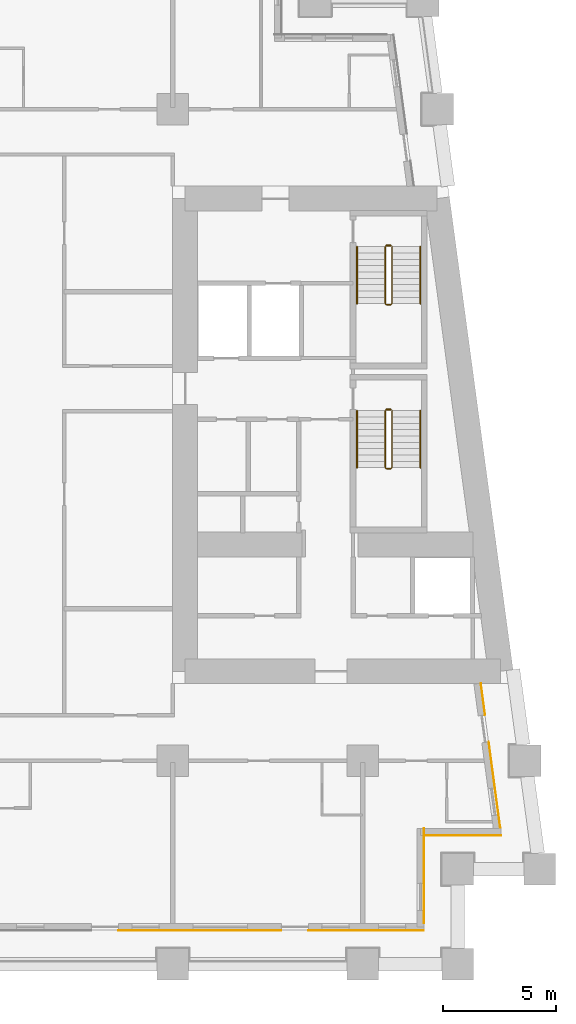
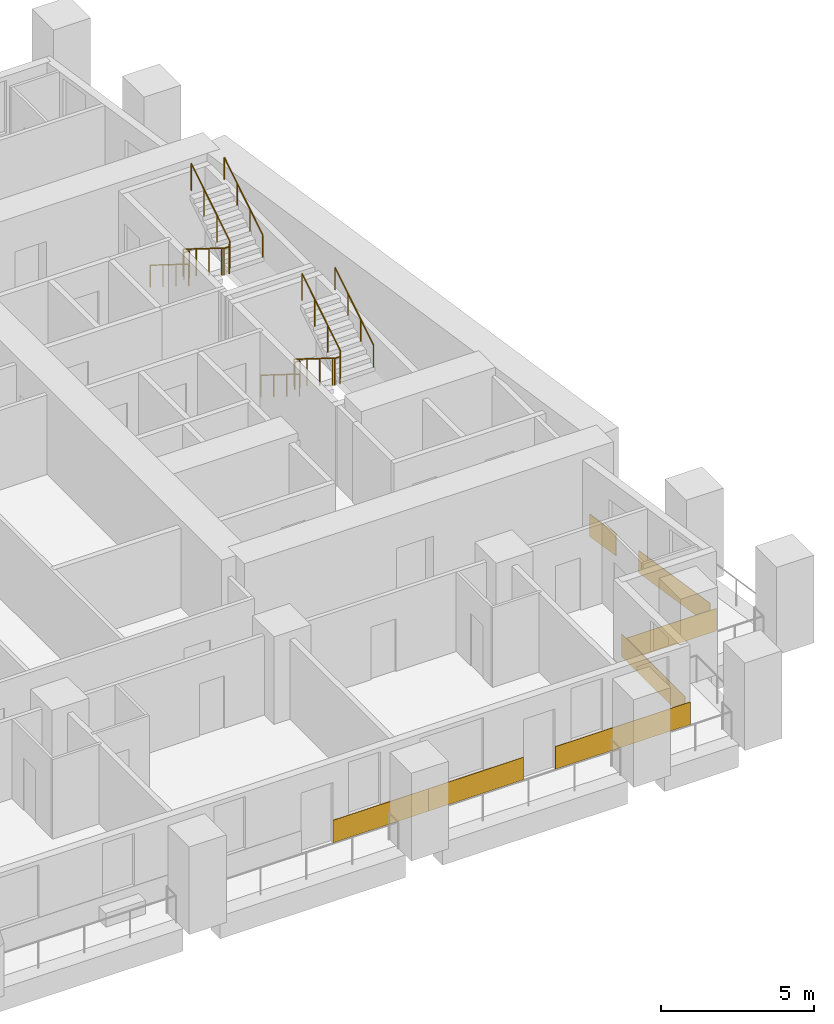
# One storey, part 11 of 13: 8 railings, 7 coverings.
"""IFC4 building model written with IfcOpenShell, lengths in metres."""

from ifc_helpers import new_model, si_unit, direction, frame, origin, origin_2d, place, context, subcontext, project, spatial, rectangle, circle, extrude, material, layer, layer_set, type_object, element, save


model = new_model("IFC4")

# Units and contexts
model_context = context("Model", 3, precision=1e-05, world=origin(), true_north=direction((0.0, 1.0)))
body_context = subcontext(model_context, "Body", "Model", "MODEL_VIEW")
ifc_project = project(units=[si_unit("LENGTHUNIT", "METRE"), si_unit("AREAUNIT", "SQUARE_METRE"), si_unit("VOLUMEUNIT", "CUBIC_METRE"), si_unit("PLANEANGLEUNIT", "RADIAN"), si_unit("MASSUNIT", "GRAM", prefix="KILO")], contexts=[model_context])

# Site, building, storey
site_placement = place(None, origin())
site = spatial("IfcSite", under=ifc_project, at=site_placement, CompositionType="ELEMENT")
building_placement = place(site_placement, origin())
building = spatial("IfcBuilding", under=site, at=building_placement, Name="Candeia Pilgrim Tower and Theatre", CompositionType="ELEMENT")
storey_placement = place(building_placement, frame((0.0, 0.0, 63.5)))
storey = spatial("IfcBuildingStorey", under=building, at=storey_placement, Name="L13", CompositionType="ELEMENT", Elevation=63.5)

# Coverings
ifc_material_1 = material(Name="Glazed ceramic tile deep red")
ifc_layer_1 = layer(ifc_material_1, 0.02001953125)
ifc_layer_set_1 = layer_set([ifc_layer_1], Name="Glazed ceramic tile deep red")
covering_type_1 = type_object("IfcCoveringType", Name="Glazed ceramic tile deep red", PredefinedType="CLADDING", material=ifc_layer_set_1)
covering_1_placement = place(storey_placement, frame((129.0, 99.489990234375, 0.0), z_axis=(0.0, 0.0, 1.0), x_axis=(1.0, 0.0, 0.0)))
element("IfcCovering", 1, at=covering_1_placement, inside=storey, type_object=covering_type_1, Name="Tile cladding deep red L13", PredefinedType="CLADDING", context=body_context, shape_type="SweptSolid", body=[
    extrude(rectangle(XDim=3.60009765625, YDim=0.02001953125, at=origin_2d()), origin(), (0.0, 0.0, 1.0), 0.89990234375),
])
covering_2_placement = place(storey_placement, frame((134.550048828125, 99.489990234375, 0.0), z_axis=(0.0, 0.0, 1.0), x_axis=(1.0, 0.0, 0.0)))
element("IfcCovering", 2, at=covering_2_placement, inside=storey, type_object=covering_type_1, Name="Tile cladding deep red L13", PredefinedType="CLADDING", context=body_context, shape_type="SweptSolid", body=[
    extrude(rectangle(XDim=5.10009765625, YDim=0.02001953125, at=origin_2d()), origin(), (0.0, 0.0, 1.0), 0.89990234375),
])
covering_3_placement = place(storey_placement, frame((137.110107421875, 101.909912109375, 0.0), z_axis=(0.0, 0.0, 1.0), x_axis=(0.0, 1.0, 0.0)))
element("IfcCovering", 3, at=covering_3_placement, inside=storey, type_object=covering_type_1, Name="Tile cladding deep red L13", PredefinedType="CLADDING", context=body_context, shape_type="SweptSolid", body=[
    extrude(rectangle(XDim=4.179931640625, YDim=0.02001953125, at=origin_2d()), origin(), (0.0, 0.0, 1.0), 0.89990234375),
])
covering_4_placement = place(storey_placement, frame((138.819580078125, 103.68994140625, 0.0), z_axis=(0.0, 0.0, 1.0), x_axis=(1.0, 0.0, 0.0)))
element("IfcCovering", 4, at=covering_4_placement, inside=storey, type_object=covering_type_1, Name="Tile cladding deep red L13", PredefinedType="CLADDING", context=body_context, shape_type="SweptSolid", body=[
    extrude(rectangle(XDim=3.399169921875, YDim=0.02001953125, at=origin_2d()), origin(), (0.0, 0.0, 1.0), 0.89990234375),
])
covering_5_placement = place(storey_placement, frame((140.228515625, 105.933349609375, 0.0), z_axis=(0.0, 0.0, 1.0), x_axis=(-0.133412012145, 0.991060661622, 0.0)))
element("IfcCovering", 5, at=covering_5_placement, inside=storey, type_object=covering_type_1, Name="Tile cladding deep red L13", PredefinedType="CLADDING", context=body_context, shape_type="SweptSolid", body=[
    extrude(rectangle(XDim=3.821044921875, YDim=0.02001953125, at=origin_2d()), origin(), (0.0, 0.0, 1.0), 0.89990234375),
])
covering_6_placement = place(storey_placement, frame((139.718994140625, 109.71875, 0.0), z_axis=(0.0, 0.0, 1.0), x_axis=(-0.133412012145, 0.991060661622, 0.0)))
element("IfcCovering", 6, at=covering_6_placement, inside=storey, type_object=covering_type_1, Name="Tile cladding deep red L13", PredefinedType="CLADDING", context=body_context, shape_type="SweptSolid", body=[
    extrude(rectangle(XDim=1.41796875, YDim=0.02001953125, at=origin_2d()), origin(), (0.0, 0.0, 1.0), 0.89990234375),
])
ifc_material_2 = material(Name="Glazed ceramic tile red")
ifc_layer_2 = layer(ifc_material_2, 0.02001953125)
ifc_layer_set_2 = layer_set([ifc_layer_2], Name="Glazed ceramic tile red")
covering_type_2 = type_object("IfcCoveringType", Name="Glazed ceramic tile red", PredefinedType="CLADDING", material=ifc_layer_set_2)
covering_7_placement = place(storey_placement, frame((125.39990234375, 99.489990234375, 0.0), z_axis=(0.0, 0.0, 1.0), x_axis=(1.0, 0.0, 0.0)))
element("IfcCovering", 7, at=covering_7_placement, inside=storey, type_object=covering_type_2, Name="Tile cladding red L13", PredefinedType="CLADDING", context=body_context, shape_type="SweptSolid", body=[
    extrude(rectangle(XDim=3.60009765625, YDim=0.02001953125, at=origin_2d()), origin(), (0.0, 0.0, 1.0), 0.89990234375),
])

# Railings
ifc_material_3 = material(Name="Stainless steel balustrade", Category="steel")
railing_type_1 = type_object("IfcRailingType", Name="RL-GUARD-1100", PredefinedType="GUARDRAIL", material=ifc_material_3)
railing_1_placement = place(storey_placement, frame((135.39794921875, 122.47509765625, 0.175048828125)))
element("IfcRailing", 8, at=railing_1_placement, inside=storey, type_object=railing_type_1, Name="L13 ST3 stair guard 1", PredefinedType="GUARDRAIL", context=body_context, shape_type="SweptSolid", body=[
    extrude(circle(Radius=0.02392578125, at=origin_2d()), frame((0.0, 0.0, 1.076171875), z_axis=(0.0, -0.848007534815, 0.529984170421), x_axis=(1.0, 0.0, 0.0)), (0.0, 0.0, 1.0), 2.9716796875),
    extrude(circle(Radius=0.02392578125, at=origin_2d()), frame((0.0, -2.52001953125, 2.65087890625), z_axis=(0.707106781187, -0.707106781187, 0.0), x_axis=(0.707106781187, 0.707106781187, 0.0)), (0.0, 0.0, 1.0), 0.07080078125),
    extrude(circle(Radius=0.02392578125, at=origin_2d()), frame((0.050048828125, -2.570068359375, 2.65087890625), z_axis=(1.0, 0.0, 0.0), x_axis=(0.0, 1.0, 0.0)), (0.0, 0.0, 1.0), 0.199951171875),
    extrude(circle(Radius=0.02392578125, at=origin_2d()), frame((0.25, -2.570068359375, 2.65087890625), z_axis=(0.265065253269, 0.265065253269, 0.927081885822), x_axis=(-0.707106781187, 0.707106781187, 0.0)), (0.0, 0.0, 1.0), 0.188720703125),
    extrude(circle(Radius=0.02392578125, at=origin_2d()), frame((0.300048828125, -2.52001953125, 2.826171875), z_axis=(0.0, 0.848007534815, 0.529984170421), x_axis=(-1.0, 0.0, 0.0)), (0.0, 0.0, 1.0), 2.9716796875),
    extrude(circle(Radius=0.02099609375, at=origin_2d()), origin(), (0.0, 0.0, 1.0), 1.052001953125),
    extrude(circle(Radius=0.02099609375, at=origin_2d()), frame((0.0, -0.840087890625, 0.52490234375)), (0.0, 0.0, 1.0), 1.052001953125),
    extrude(circle(Radius=0.02099609375, at=origin_2d()), frame((0.0, -1.679931640625, 1.050048828125)), (0.0, 0.0, 1.0), 1.052001953125),
    extrude(circle(Radius=0.02099609375, at=origin_2d()), frame((0.0, -2.52001953125, 1.574951171875)), (0.0, 0.0, 1.0), 1.052001953125),
    extrude(circle(Radius=0.02099609375, at=origin_2d()), frame((0.050048828125, -2.570068359375, 1.574951171875)), (0.0, 0.0, 1.0), 1.052001953125),
    extrude(circle(Radius=0.02099609375, at=origin_2d()), frame((0.25, -2.570068359375, 1.574951171875)), (0.0, 0.0, 1.0), 1.052001953125),
    extrude(circle(Radius=0.02099609375, at=origin_2d()), frame((0.300048828125, -2.52001953125, 1.75)), (0.0, 0.0, 1.0), 1.052001953125),
    extrude(circle(Radius=0.02099609375, at=origin_2d()), frame((0.300048828125, -1.679931640625, 2.27490234375)), (0.0, 0.0, 1.0), 1.052001953125),
    extrude(circle(Radius=0.02099609375, at=origin_2d()), frame((0.300048828125, -0.840087890625, 2.800048828125)), (0.0, 0.0, 1.0), 1.052001953125),
    extrude(circle(Radius=0.02099609375, at=origin_2d()), frame((0.300048828125, 0.0, 3.324951171875)), (0.0, 0.0, 1.0), 1.052001953125),
])
railing_2_placement = place(storey_placement, frame((135.447998046875, 122.52490234375, 0.0)))
element("IfcRailing", 9, at=railing_2_placement, inside=storey, type_object=railing_type_1, Name="L13 ST3 stair guard 2", PredefinedType="GUARDRAIL", context=body_context, shape_type="SweptSolid", body=[
    extrude(circle(Radius=0.02392578125, at=origin_2d()), frame((0.0, 0.0, 1.076171875), z_axis=(1.0, 0.0, 0.0), x_axis=(0.0, 1.0, 0.0)), (0.0, 0.0, 1.0), 0.199951171875),
    extrude(circle(Radius=0.02099609375, at=origin_2d()), origin(), (0.0, 0.0, 1.0), 1.052001953125),
    extrude(circle(Radius=0.02099609375, at=origin_2d()), frame((0.199951171875, 0.0, 0.0)), (0.0, 0.0, 1.0), 1.052001953125),
])
railing_3_placement = place(storey_placement, frame((135.39794921875, 129.72509765625, 0.175048828125)))
element("IfcRailing", 10, at=railing_3_placement, inside=storey, type_object=railing_type_1, Name="L13 ST4 stair guard 1", PredefinedType="GUARDRAIL", context=body_context, shape_type="SweptSolid", body=[
    extrude(circle(Radius=0.02392578125, at=origin_2d()), frame((0.0, 0.0, 1.076171875), z_axis=(0.0, -0.848007534815, 0.529984170421), x_axis=(1.0, 0.0, 0.0)), (0.0, 0.0, 1.0), 2.9716796875),
    extrude(circle(Radius=0.02392578125, at=origin_2d()), frame((0.0, -2.52001953125, 2.65087890625), z_axis=(0.707106781187, -0.707106781187, 0.0), x_axis=(0.707106781187, 0.707106781187, 0.0)), (0.0, 0.0, 1.0), 0.07080078125),
    extrude(circle(Radius=0.02392578125, at=origin_2d()), frame((0.050048828125, -2.570068359375, 2.65087890625), z_axis=(1.0, 0.0, 0.0), x_axis=(0.0, 1.0, 0.0)), (0.0, 0.0, 1.0), 0.199951171875),
    extrude(circle(Radius=0.02392578125, at=origin_2d()), frame((0.25, -2.570068359375, 2.65087890625), z_axis=(0.265065253269, 0.265065253269, 0.927081885822), x_axis=(-0.707106781187, 0.707106781187, 0.0)), (0.0, 0.0, 1.0), 0.188720703125),
    extrude(circle(Radius=0.02392578125, at=origin_2d()), frame((0.300048828125, -2.52001953125, 2.826171875), z_axis=(0.0, 0.848007534815, 0.529984170421), x_axis=(-1.0, 0.0, 0.0)), (0.0, 0.0, 1.0), 2.9716796875),
    extrude(circle(Radius=0.02099609375, at=origin_2d()), origin(), (0.0, 0.0, 1.0), 1.052001953125),
    extrude(circle(Radius=0.02099609375, at=origin_2d()), frame((0.0, -0.840087890625, 0.52490234375)), (0.0, 0.0, 1.0), 1.052001953125),
    extrude(circle(Radius=0.02099609375, at=origin_2d()), frame((0.0, -1.679931640625, 1.050048828125)), (0.0, 0.0, 1.0), 1.052001953125),
    extrude(circle(Radius=0.02099609375, at=origin_2d()), frame((0.0, -2.52001953125, 1.574951171875)), (0.0, 0.0, 1.0), 1.052001953125),
    extrude(circle(Radius=0.02099609375, at=origin_2d()), frame((0.050048828125, -2.570068359375, 1.574951171875)), (0.0, 0.0, 1.0), 1.052001953125),
    extrude(circle(Radius=0.02099609375, at=origin_2d()), frame((0.25, -2.570068359375, 1.574951171875)), (0.0, 0.0, 1.0), 1.052001953125),
    extrude(circle(Radius=0.02099609375, at=origin_2d()), frame((0.300048828125, -2.52001953125, 1.75)), (0.0, 0.0, 1.0), 1.052001953125),
    extrude(circle(Radius=0.02099609375, at=origin_2d()), frame((0.300048828125, -1.679931640625, 2.27490234375)), (0.0, 0.0, 1.0), 1.052001953125),
    extrude(circle(Radius=0.02099609375, at=origin_2d()), frame((0.300048828125, -0.840087890625, 2.800048828125)), (0.0, 0.0, 1.0), 1.052001953125),
    extrude(circle(Radius=0.02099609375, at=origin_2d()), frame((0.300048828125, 0.0, 3.324951171875)), (0.0, 0.0, 1.0), 1.052001953125),
])
railing_4_placement = place(storey_placement, frame((135.447998046875, 129.77490234375, 0.0)))
element("IfcRailing", 11, at=railing_4_placement, inside=storey, type_object=railing_type_1, Name="L13 ST4 stair guard 2", PredefinedType="GUARDRAIL", context=body_context, shape_type="SweptSolid", body=[
    extrude(circle(Radius=0.02392578125, at=origin_2d()), frame((0.0, 0.0, 1.076171875), z_axis=(1.0, 0.0, 0.0), x_axis=(0.0, 1.0, 0.0)), (0.0, 0.0, 1.0), 0.199951171875),
    extrude(circle(Radius=0.02099609375, at=origin_2d()), origin(), (0.0, 0.0, 1.0), 1.052001953125),
    extrude(circle(Radius=0.02099609375, at=origin_2d()), frame((0.199951171875, 0.0, 0.0)), (0.0, 0.0, 1.0), 1.052001953125),
])
ifc_material_4 = material(Name="Stainless steel handrail", Category="steel")
railing_type_2 = type_object("IfcRailingType", Name="RL-HANDRAIL-900", PredefinedType="HANDRAIL", material=ifc_material_4)
railing_5_placement = place(storey_placement, frame((134.14794921875, 122.47509765625, 0.175048828125)))
element("IfcRailing", 12, at=railing_5_placement, inside=storey, type_object=railing_type_2, Name="L13 ST3 stair handrail 1", PredefinedType="HANDRAIL", context=body_context, shape_type="SweptSolid", body=[
    extrude(circle(Radius=0.02392578125, at=origin_2d()), frame((0.0, 0.0, 0.8759765625), z_axis=(0.0, -0.848007534815, 0.529984170421), x_axis=(1.0, 0.0, 0.0)), (0.0, 0.0, 1.0), 2.9716796875),
    extrude(circle(Radius=0.02099609375, at=origin_2d()), origin(), (0.0, 0.0, 1.0), 0.851806640625),
    extrude(circle(Radius=0.02099609375, at=origin_2d()), frame((0.0, -0.840087890625, 0.52490234375)), (0.0, 0.0, 1.0), 0.851806640625),
    extrude(circle(Radius=0.02099609375, at=origin_2d()), frame((0.0, -1.679931640625, 1.050048828125)), (0.0, 0.0, 1.0), 0.851806640625),
    extrude(circle(Radius=0.02099609375, at=origin_2d()), frame((0.0, -2.52001953125, 1.574951171875)), (0.0, 0.0, 1.0), 0.851806640625),
])
railing_6_placement = place(storey_placement, frame((136.947998046875, 119.955078125, 1.925048828125)))
element("IfcRailing", 13, at=railing_6_placement, inside=storey, type_object=railing_type_2, Name="L13 ST3 stair handrail 2", PredefinedType="HANDRAIL", context=body_context, shape_type="SweptSolid", body=[
    extrude(circle(Radius=0.02392578125, at=origin_2d()), frame((0.0, 0.0, 0.8759765625), z_axis=(0.0, 0.848007534815, 0.529984170421), x_axis=(-1.0, 0.0, 0.0)), (0.0, 0.0, 1.0), 2.9716796875),
    extrude(circle(Radius=0.02099609375, at=origin_2d()), origin(), (0.0, 0.0, 1.0), 0.851806640625),
    extrude(circle(Radius=0.02099609375, at=origin_2d()), frame((0.0, 0.840087890625, 0.52490234375)), (0.0, 0.0, 1.0), 0.851806640625),
    extrude(circle(Radius=0.02099609375, at=origin_2d()), frame((0.0, 1.679931640625, 1.050048828125)), (0.0, 0.0, 1.0), 0.851806640625),
    extrude(circle(Radius=0.02099609375, at=origin_2d()), frame((0.0, 2.52001953125, 1.574951171875)), (0.0, 0.0, 1.0), 0.851806640625),
])
railing_7_placement = place(storey_placement, frame((134.14794921875, 129.72509765625, 0.175048828125)))
element("IfcRailing", 14, at=railing_7_placement, inside=storey, type_object=railing_type_2, Name="L13 ST4 stair handrail 1", PredefinedType="HANDRAIL", context=body_context, shape_type="SweptSolid", body=[
    extrude(circle(Radius=0.02392578125, at=origin_2d()), frame((0.0, 0.0, 0.8759765625), z_axis=(0.0, -0.848007534815, 0.529984170421), x_axis=(1.0, 0.0, 0.0)), (0.0, 0.0, 1.0), 2.9716796875),
    extrude(circle(Radius=0.02099609375, at=origin_2d()), origin(), (0.0, 0.0, 1.0), 0.851806640625),
    extrude(circle(Radius=0.02099609375, at=origin_2d()), frame((0.0, -0.840087890625, 0.52490234375)), (0.0, 0.0, 1.0), 0.851806640625),
    extrude(circle(Radius=0.02099609375, at=origin_2d()), frame((0.0, -1.679931640625, 1.050048828125)), (0.0, 0.0, 1.0), 0.851806640625),
    extrude(circle(Radius=0.02099609375, at=origin_2d()), frame((0.0, -2.52001953125, 1.574951171875)), (0.0, 0.0, 1.0), 0.851806640625),
])
railing_8_placement = place(storey_placement, frame((136.947998046875, 127.205078125, 1.925048828125)))
element("IfcRailing", 15, at=railing_8_placement, inside=storey, type_object=railing_type_2, Name="L13 ST4 stair handrail 2", PredefinedType="HANDRAIL", context=body_context, shape_type="SweptSolid", body=[
    extrude(circle(Radius=0.02392578125, at=origin_2d()), frame((0.0, 0.0, 0.8759765625), z_axis=(0.0, 0.848007534815, 0.529984170421), x_axis=(-1.0, 0.0, 0.0)), (0.0, 0.0, 1.0), 2.9716796875),
    extrude(circle(Radius=0.02099609375, at=origin_2d()), origin(), (0.0, 0.0, 1.0), 0.851806640625),
    extrude(circle(Radius=0.02099609375, at=origin_2d()), frame((0.0, 0.840087890625, 0.52490234375)), (0.0, 0.0, 1.0), 0.851806640625),
    extrude(circle(Radius=0.02099609375, at=origin_2d()), frame((0.0, 1.679931640625, 1.050048828125)), (0.0, 0.0, 1.0), 0.851806640625),
    extrude(circle(Radius=0.02099609375, at=origin_2d()), frame((0.0, 2.52001953125, 1.574951171875)), (0.0, 0.0, 1.0), 0.851806640625),
])

save(model, "model.ifc")
